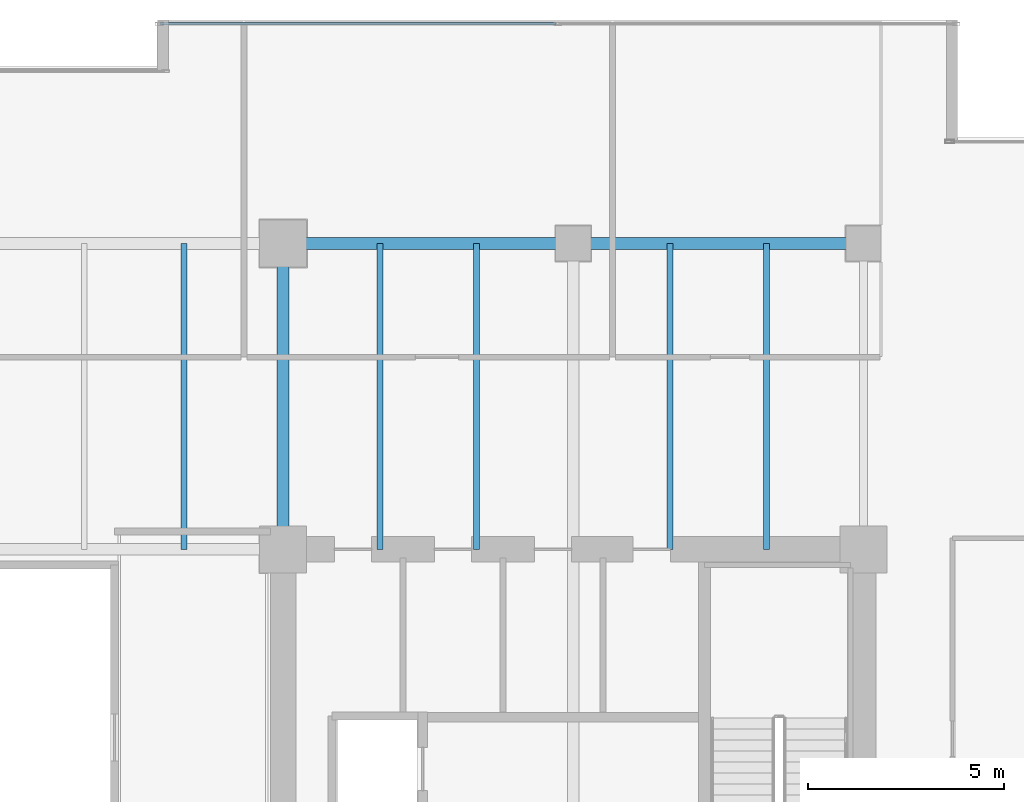
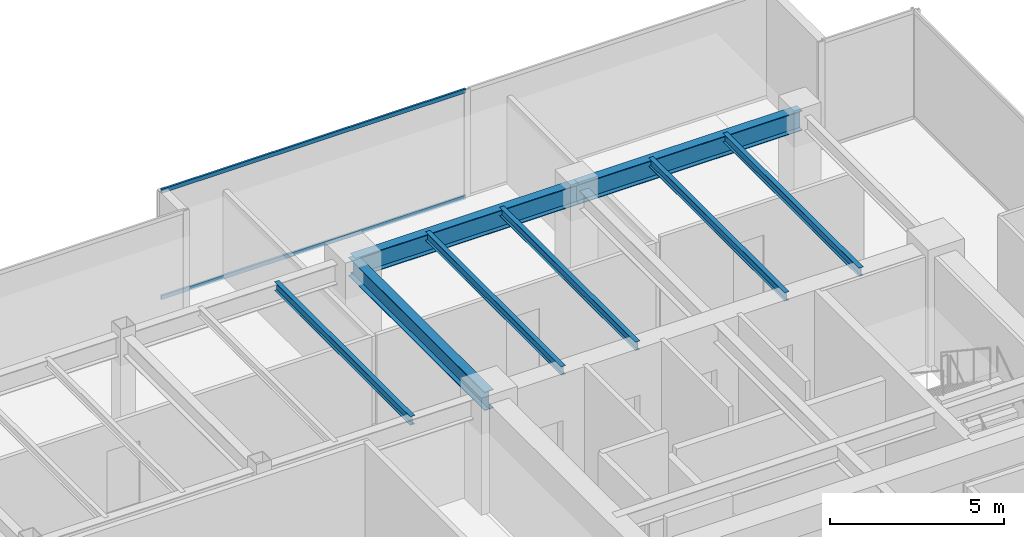
# One storey, part 19 of 33: 8 beams, 2 members, 1 element without a shape of its own.
"""IFC4 building model written with IfcOpenShell, lengths in metres."""

from ifc_helpers import new_model, si_unit, direction, frame, origin, origin_2d, place, context, subcontext, project, spatial, hollow_rectangle, i_section, extrude, source, transform, mapped, material, layer, layer_set, material_profile, profile_set, type_object, type_shapes, element, aggregate, save


model = new_model("IFC4")

# Units and contexts
model_context = context("Model", 3, precision=1e-05, world=origin(), true_north=direction((0.0, 1.0)))
body_context = subcontext(model_context, "Body", "Model", "MODEL_VIEW")
ifc_project = project(units=[si_unit("LENGTHUNIT", "METRE"), si_unit("AREAUNIT", "SQUARE_METRE"), si_unit("VOLUMEUNIT", "CUBIC_METRE"), si_unit("PLANEANGLEUNIT", "RADIAN"), si_unit("MASSUNIT", "GRAM", prefix="KILO")], contexts=[model_context])

# Site, building, storey
site_placement = place(None, origin())
site = spatial("IfcSite", under=ifc_project, at=site_placement, CompositionType="ELEMENT")
building_placement = place(site_placement, origin())
building = spatial("IfcBuilding", under=site, at=building_placement, Name="Haelvirn Gate Laboratories", CompositionType="ELEMENT")
storey_placement = place(building_placement, frame((0.0, 0.0, 137.89990234375)))
storey = spatial("IfcBuildingStorey", under=building, at=storey_placement, Name="L33", CompositionType="ELEMENT", Elevation=137.89990234375)

# Beams
ifc_material_1 = material(Name="Steel SM355", Category="steel")
ifc_material_profile_1 = material_profile(ifc_material_1, i_section(OverallWidth=0.300048828125, OverallDepth=0.64990234375, WebThickness=0.012939453125, FlangeThickness=0.02197265625, at=origin_2d()), Name="H-650x300x13x22")
ifc_profile_set_1 = profile_set([ifc_material_profile_1], Name="Steel SM355")
beam_type_1 = type_object("IfcBeamType", Name="BM-G-650", PredefinedType="BEAM", material=ifc_profile_set_1)
shared_shape_1 = source(origin(), body_context, "Body", "SweptSolid", [
    extrude(i_section(OverallWidth=0.300048828125, OverallDepth=0.64990234375, WebThickness=0.012939453125, FlangeThickness=0.02197265625, at=origin_2d()), origin(), (0.0, 0.0, 1.0), 7.800048828125),
])
type_shapes(beam_type_1, [shared_shape_1])
beam_placement = place(storey_placement, frame((52.60009765625, 33.800048828125, 3.465087890625), z_axis=(0.0, 1.0, 0.0), x_axis=(-1.0, 0.0, 0.0)))
element("IfcBeam", 1, at=beam_placement, inside=storey, type_object=beam_type_1, Name="L33 Frame Girder X52.6 (33.8-41.6)", PredefinedType="BEAM", context=body_context, shape_type="MappedRepresentation", body=[
    mapped(shared_shape_1, transform((0.0, 0.0, 0.0), scale=1.0)),
])
ifc_material_profile_2 = material_profile(ifc_material_1, i_section(OverallWidth=0.300048828125, OverallDepth=0.699951171875, WebThickness=0.012939453125, FlangeThickness=0.02392578125, at=origin_2d()), Name="H-700x300x13x24")
ifc_profile_set_2 = profile_set([ifc_material_profile_2], Name="Steel SM355")
beam_type_2 = type_object("IfcBeamType", Name="BM-G-700", PredefinedType="BEAM", material=ifc_profile_set_2)
shared_shape_2 = source(origin(), body_context, "Body", "SweptSolid", [
    extrude(i_section(OverallWidth=0.300048828125, OverallDepth=0.699951171875, WebThickness=0.012939453125, FlangeThickness=0.02392578125, at=origin_2d()), origin(), (0.0, 0.0, 1.0), 7.39990234375),
])
type_shapes(beam_type_2, [shared_shape_2])
for number, where, z_axis, x_axis, name in (
    (2, (52.60009765625, 41.60009765625, 3.440185546875), (1.0, 0.0, 0.0), (0.0, 1.0, 0.0), "L33 Primary Girder Y41.6 (52.6-60.0)"),
    (3, (60.0, 41.60009765625, 3.440185546875), (1.0, 0.0, 0.0), (0.0, 1.0, 0.0), "L33 Primary Girder Y41.6 (60.0-67.4)"),
):
    element("IfcBeam", number, at=place(storey_placement, frame(where, z_axis=z_axis, x_axis=x_axis)), inside=storey, type_object=beam_type_2, Name=name, PredefinedType="BEAM", context=body_context, shape_type="MappedRepresentation", body=[
        mapped(shared_shape_2, transform((0.0, 0.0, 0.0), scale=1.0)),
    ])
ifc_material_profile_3 = material_profile(ifc_material_1, i_section(OverallWidth=0.14990234375, OverallDepth=0.300048828125, WebThickness=0.006591796875, FlangeThickness=0.009033203125, at=origin_2d()), Name="H-300x150x6.5x9")
ifc_profile_set_3 = profile_set([ifc_material_profile_3], Name="Steel SM355")
beam_type_3 = type_object("IfcBeamType", Name="BM-J-300", PredefinedType="JOIST", material=ifc_profile_set_3)
shared_shape_3 = source(origin(), body_context, "Body", "SweptSolid", [
    extrude(i_section(OverallWidth=0.14990234375, OverallDepth=0.300048828125, WebThickness=0.006591796875, FlangeThickness=0.009033203125, at=origin_2d()), origin(), (0.0, 0.0, 1.0), 7.800048828125),
])
type_shapes(beam_type_3, [shared_shape_3])
for number, where, z_axis, x_axis, name in (
    (4, (50.070068359375, 33.800048828125, 3.64013671875), (0.0, 1.0, 0.0), (-1.0, 0.0, 0.0), "L33 Composite Lab Joist North X50.07"),
    (5, (55.070068359375, 33.800048828125, 3.64013671875), (0.0, 1.0, 0.0), (-1.0, 0.0, 0.0), "L33 Composite Lab Joist North X55.07"),
    (6, (57.530029296875, 33.800048828125, 3.64013671875), (0.0, 1.0, 0.0), (-1.0, 0.0, 0.0), "L33 Composite Lab Joist North X57.53"),
    (7, (62.469970703125, 33.800048828125, 3.64013671875), (0.0, 1.0, 0.0), (-1.0, 0.0, 0.0), "L33 Composite Lab Joist North X62.47"),
    (8, (64.929931640625, 33.800048828125, 3.64013671875), (0.0, 1.0, 0.0), (-1.0, 0.0, 0.0), "L33 Composite Lab Joist North X64.93"),
):
    element("IfcBeam", number, at=place(storey_placement, frame(where, z_axis=z_axis, x_axis=x_axis)), inside=storey, type_object=beam_type_3, Name=name, PredefinedType="JOIST", context=body_context, shape_type="MappedRepresentation", body=[
        mapped(shared_shape_3, transform((0.0, 0.0, 0.0), scale=1.0)),
    ])

# Curtain wall, members
ifc_material_2 = material(Name="Anodised bronze unitised aluminium & triple low-E glass", Category="aluminium")
ifc_layer = layer(ifc_material_2, 0.179931640625, Name="CW-SYS-3")
ifc_layer_set = layer_set([ifc_layer], Name="Anodised bronze unitised aluminium & triple low-E glass")
curtain_wall_type = type_object("IfcCurtainWallType", Name="CW-SYS-3", PredefinedType="NOTDEFINED", material=ifc_layer_set)
curtain_wall_placement = place(storey_placement, origin())
curtain_wall = element("IfcCurtainWall", 9, at=curtain_wall_placement, inside=storey, type_object=curtain_wall_type, Name="L33 Unitised Curtain Wall CW-L33-P0-E10-1", PredefinedType="NOTDEFINED")
ifc_material_3 = material(Name="Extruded aluminium 6063-T6 (anodised bronze)", Category="aluminium")
ifc_material_profile_4 = material_profile(ifc_material_3, hollow_rectangle(XDim=0.06494140625, YDim=0.139892578125, WallThickness=0.00390625, at=origin_2d()), Name="CWT-140x65x4")
ifc_profile_set_4 = profile_set([ifc_material_profile_4], Name="Extruded aluminium 6063-T6 (anodised bronze)")
member_type = type_object("IfcMemberType", Name="CWT-T140", PredefinedType="USERDEFINED", material=ifc_profile_set_4)
shared_shape_4 = source(origin(), body_context, "Body", "SweptSolid", [
    extrude(hollow_rectangle(XDim=0.06494140625, YDim=0.139892578125, WallThickness=0.00390625, at=origin_2d()), origin(), (0.0, 0.0, 1.0), 10.08740234375),
])
type_shapes(member_type, [shared_shape_4])
member_1_placement = place(storey_placement, frame((49.47509765625, 47.199951171875, 0.03271484375), z_axis=(1.0, 0.0, 0.0), x_axis=(0.0, 1.0, 0.0)))
member_1 = element("IfcMember", 10, at=member_1_placement, type_object=member_type, Name="CW3 transom 1.1", ObjectType="TRANSOM", PredefinedType="USERDEFINED", context=body_context, shape_type="MappedRepresentation", body=[
    mapped(shared_shape_4, transform((0.0, 0.0, 0.0), scale=1.0)),
])
member_2_placement = place(storey_placement, frame((49.47509765625, 47.199951171875, 3.757568359375), z_axis=(1.0, 0.0, 0.0), x_axis=(0.0, 1.0, 0.0)))
member_2 = element("IfcMember", 11, at=member_2_placement, type_object=member_type, Name="CW3 transom 1.2", ObjectType="TRANSOM", PredefinedType="USERDEFINED", context=body_context, shape_type="MappedRepresentation", body=[
    mapped(shared_shape_4, transform((0.0, 0.0, 0.0), scale=1.0)),
])
aggregate(curtain_wall, [member_1, member_2])

save(model, "model.ifc")
